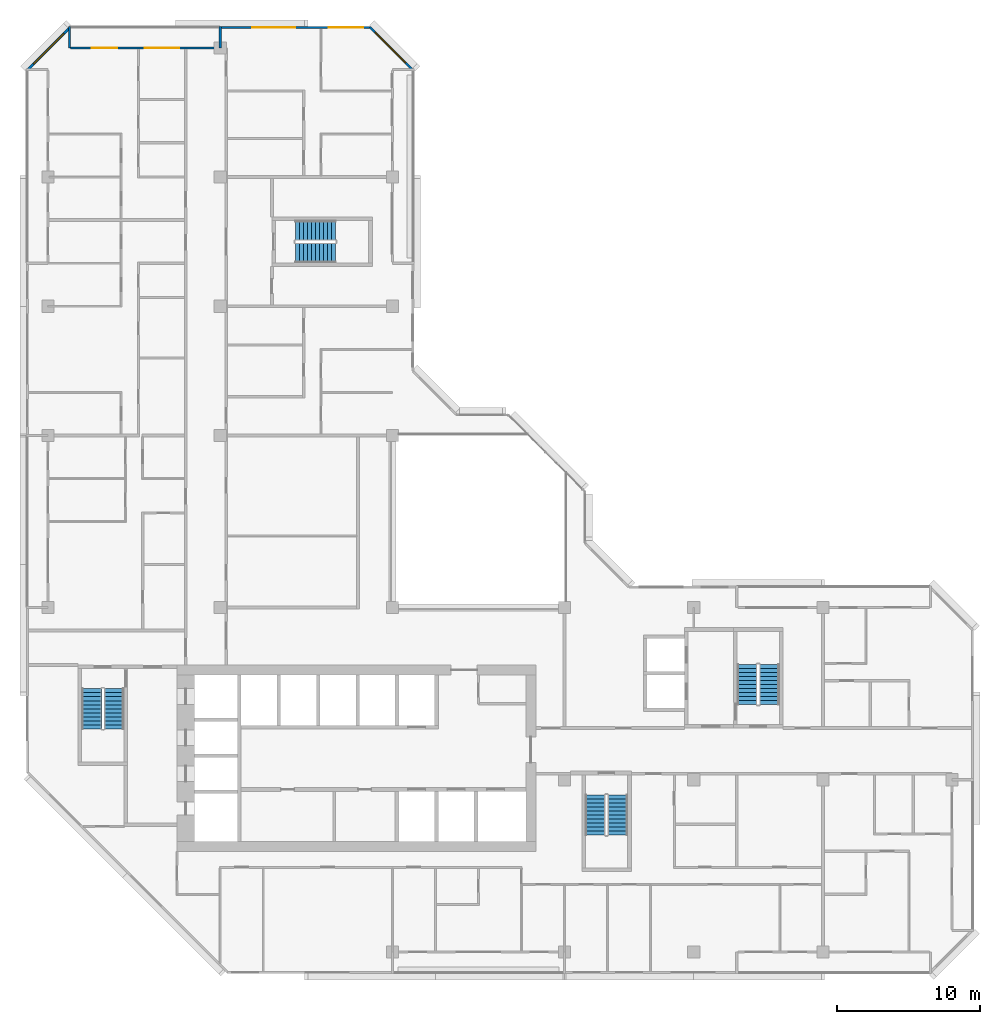
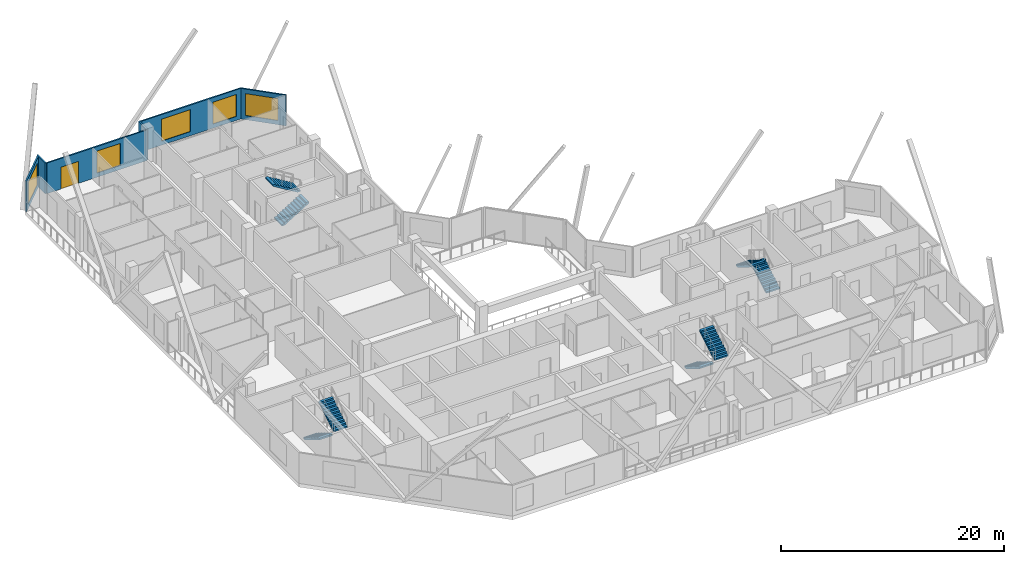
# One storey, part 12 of 14: 8 stair flights, 6 walls, 5 windows, 1 door, 6 openings, 4 elements without a shape of their own.
"""IFC4 building model written with IfcOpenShell, lengths in metres."""

from ifc_helpers import new_model, si_unit, direction, frame, frame_2d, origin, place, context, subcontext, project, spatial, polyline, rectangle, outline, extrude, material, layer, layer_set, type_object, element, fill, aggregate, save


model = new_model("IFC4")

# Units and contexts
model_context = context("Model", 3, precision=1e-05, world=origin(), true_north=direction((0.0, 1.0)))
body_context = subcontext(model_context, "Body", "Model", "MODEL_VIEW")
ifc_project = project(units=[si_unit("LENGTHUNIT", "METRE"), si_unit("AREAUNIT", "SQUARE_METRE"), si_unit("VOLUMEUNIT", "CUBIC_METRE"), si_unit("PLANEANGLEUNIT", "RADIAN"), si_unit("MASSUNIT", "GRAM", prefix="KILO")], contexts=[model_context])

# Site, building, storey
site_placement = place(None, origin())
site = spatial("IfcSite", under=ifc_project, at=site_placement, CompositionType="ELEMENT")
building_placement = place(site_placement, origin())
building = spatial("IfcBuilding", under=site, at=building_placement, Name="Chenar Terraces", CompositionType="ELEMENT")
storey_placement = place(building_placement, frame((0.0, 0.0, 234.14990234375)))
storey = spatial("IfcBuildingStorey", under=building, at=storey_placement, Name="L55", CompositionType="ELEMENT", Elevation=234.14990234375)

# Wall, openings, windows
ifc_material_1 = material(Name="Aluminium framed glazing", Category="aluminium")
ifc_layer_1 = layer(ifc_material_1, 0.14990234375)
ifc_layer_set_1 = layer_set([ifc_layer_1], Name="Aluminium framed glazing")
wall_type_1 = type_object("IfcWallType", Name="Glazed flush facade wall 150", PredefinedType="SOLIDWALL", material=ifc_layer_set_1)
wall_1_placement = place(storey_placement, frame((22.5, 64.425048828125, 0.0), z_axis=(0.0, 0.0, 1.0), x_axis=(-1.0, 0.0, 0.0)))
wall_1 = element("IfcWall", 1, at=wall_1_placement, inside=storey, type_object=wall_type_1, Name="Glazed flush facade wall", PredefinedType="SOLIDWALL", context=body_context, shape_type="SweptSolid", body=[
    extrude(rectangle(XDim=10.425048828125, YDim=0.14990234375, at=frame_2d((5.21240234375, 0.0))), origin(), (0.0, 0.0, 1.0), 3.35009765625),
])
opening_1_placement = place(wall_1_placement, frame((0.53759765625, 0.0, 0.449951171875)))
opening_1 = element("IfcOpeningElement", 2, at=opening_1_placement, cuts=wall_1, Name="Opening W240x240", PredefinedType="OPENING", context=body_context, shape_type="SweptSolid", body=[
    extrude(rectangle(XDim=2.39990234375, YDim=2.39990234375, at=frame_2d((1.199951171875, 1.199951171875))), frame((0.0, 0.0849609375, 0.0), z_axis=(0.0, -1.0, 0.0), x_axis=(1.0, 0.0, 0.0)), (0.0, 0.0, 1.0), 0.169921875),
])
opening_2_placement = place(wall_1_placement, frame((5.27490234375, 0.0, 0.449951171875)))
opening_2 = element("IfcOpeningElement", 3, at=opening_2_placement, cuts=wall_1, Name="Opening W300x240", PredefinedType="OPENING", context=body_context, shape_type="SweptSolid", body=[
    extrude(rectangle(XDim=3.0, YDim=2.39990234375, at=frame_2d((1.5, 1.199951171875))), frame((0.0, 0.0849609375, 0.0), z_axis=(0.0, -1.0, 0.0), x_axis=(1.0, 0.0, 0.0)), (0.0, 0.0, 1.0), 0.169921875),
])
ifc_material_2 = material(Name="Low emissivity double glazing, aluminium frame", Category="aluminium")
window_type_1 = type_object("IfcWindowType", Name="Fixed light 2400 x 2400", PartitioningType="SINGLE_PANEL", PredefinedType="WINDOW", material=ifc_material_2)
window_1_placement = place(opening_1_placement, origin())
window_1 = element("IfcWindow", 4, at=window_1_placement, inside=storey, type_object=window_type_1, Name="Window", OverallHeight=2.39990234375, OverallWidth=2.39990234375, PartitioningType="SINGLE_PANEL", PredefinedType="WINDOW", context=body_context, shape_type="SweptSolid", body=[
    extrude(rectangle(XDim=2.39990234375, YDim=2.39990234375, at=frame_2d((1.199951171875, 1.199951171875))), frame((0.0, 0.030029296875, 0.0), z_axis=(0.0, -1.0, 0.0), x_axis=(1.0, 0.0, 0.0)), (0.0, 0.0, 1.0), 0.06005859375),
])
fill(opening_1, window_1)
ifc_material_3 = material(Name="Low emissivity double glazing, aluminium frame", Category="aluminium")
window_type_2 = type_object("IfcWindowType", Name="Fixed light 3000 x 2400", PartitioningType="SINGLE_PANEL", PredefinedType="WINDOW", material=ifc_material_3)
window_2_placement = place(opening_2_placement, origin())
window_2 = element("IfcWindow", 5, at=window_2_placement, inside=storey, type_object=window_type_2, Name="Window", OverallHeight=2.39990234375, OverallWidth=3.0, PartitioningType="SINGLE_PANEL", PredefinedType="WINDOW", context=body_context, shape_type="SweptSolid", body=[
    extrude(rectangle(XDim=3.0, YDim=2.39990234375, at=frame_2d((1.5, 1.199951171875))), frame((0.0, 0.030029296875, 0.0), z_axis=(0.0, -1.0, 0.0), x_axis=(1.0, 0.0, 0.0)), (0.0, 0.0, 1.0), 0.06005859375),
])
fill(opening_2, window_2)

# Wall, openings, window, door
ifc_material_4 = material(Name="Aluminium framed glazing", Category="aluminium")
ifc_layer_2 = layer(ifc_material_4, 0.14990234375)
ifc_layer_set_2 = layer_set([ifc_layer_2], Name="Aluminium framed glazing")
wall_type_2 = type_object("IfcWallType", Name="Glazed loggia back wall 150", PredefinedType="SOLIDWALL", material=ifc_layer_set_2)
wall_2_placement = place(storey_placement, frame((11.925048828125, 63.0, 0.0), z_axis=(0.0, 0.0, 1.0), x_axis=(-1.0, 0.0, 0.0)))
wall_2 = element("IfcWall", 6, at=wall_2_placement, inside=storey, type_object=wall_type_2, Name="Glazed loggia back wall", PredefinedType="SOLIDWALL", context=body_context, shape_type="SweptSolid", body=[
    extrude(rectangle(XDim=10.35009765625, YDim=0.14990234375, at=frame_2d((5.175048828125, 0.0))), origin(), (0.0, 0.0, 1.0), 3.35009765625),
])
opening_3_placement = place(wall_2_placement, frame((2.77490234375, 0.0, 0.449951171875)))
opening_3 = element("IfcOpeningElement", 7, at=opening_3_placement, cuts=wall_2, Name="Opening W240x240", PredefinedType="OPENING", context=body_context, shape_type="SweptSolid", body=[
    extrude(rectangle(XDim=2.39990234375, YDim=2.39990234375, at=frame_2d((1.199951171875, 1.199951171875))), frame((0.0, 0.0849609375, 0.0), z_axis=(0.0, -1.0, 0.0), x_axis=(1.0, 0.0, 0.0)), (0.0, 0.0, 1.0), 0.169921875),
])
opening_4_placement = place(wall_2_placement, frame((7.08740234375, 0.0, 0.0)))
opening_4 = element("IfcOpeningElement", 8, at=opening_4_placement, cuts=wall_2, Name="Opening DL55-G3", PredefinedType="OPENING", context=body_context, shape_type="SweptSolid", body=[
    extrude(rectangle(XDim=1.800048828125, YDim=2.39990234375, at=frame_2d((0.89990234375, 1.199951171875))), frame((0.0, 0.0849609375, 0.0), z_axis=(0.0, -1.0, 0.0), x_axis=(1.0, 0.0, 0.0)), (0.0, 0.0, 1.0), 0.169921875),
])
window_3_placement = place(opening_3_placement, origin())
window_3 = element("IfcWindow", 9, at=window_3_placement, inside=storey, type_object=window_type_1, Name="Window", OverallHeight=2.39990234375, OverallWidth=2.39990234375, PartitioningType="SINGLE_PANEL", PredefinedType="WINDOW", context=body_context, shape_type="SweptSolid", body=[
    extrude(rectangle(XDim=2.39990234375, YDim=2.39990234375, at=frame_2d((1.199951171875, 1.199951171875))), frame((0.0, 0.030029296875, 0.0), z_axis=(0.0, -1.0, 0.0), x_axis=(1.0, 0.0, 0.0)), (0.0, 0.0, 1.0), 0.06005859375),
])
fill(opening_3, window_3)
ifc_material_5 = material(Name="Low emissivity double glazing, aluminium frame", Category="aluminium")
door_type = type_object("IfcDoorType", Name="Loggia glazed double door 1800 x 2400", OperationType="DOUBLE_DOOR_SINGLE_SWING", PredefinedType="DOOR", material=ifc_material_5)
door_placement = place(opening_4_placement, frame((1.800048828125, 0.0, 0.0), z_axis=(0.0, 0.0, 1.0), x_axis=(-1.0, 0.0, 0.0)))
door = element("IfcDoor", 10, at=door_placement, inside=storey, type_object=door_type, Name="Loggia glazed door", OperationType="DOUBLE_DOOR_SINGLE_SWING", OverallHeight=2.39990234375, OverallWidth=1.800048828125, PredefinedType="DOOR", context=body_context, shape_type="SweptSolid", body=[
    extrude(rectangle(XDim=1.800048828125, YDim=2.39990234375, at=frame_2d((0.89990234375, 1.199951171875))), frame((0.0, 0.02490234375, 0.0), z_axis=(0.0, -1.0, 0.0), x_axis=(1.0, 0.0, 0.0)), (0.0, 0.0, 1.0), 0.050048828125),
])
fill(opening_4, door)

# Walls
ifc_material_6 = material(Name="Terracotta cladding on insulated backing", Category="masonry")
ifc_layer_3 = layer(ifc_material_6, 0.14990234375)
ifc_layer_set_3 = layer_set([ifc_layer_3], Name="Terracotta cladding on insulated backing")
wall_type_3 = type_object("IfcWallType", Name="Loggia return wall 150", PredefinedType="SOLIDWALL", material=ifc_layer_set_3)
for number, where, z_axis, x_axis, name in (
    (11, (12.0, 64.5, 0.0), (0.0, 0.0, 1.0), (0.0, -1.0, 0.0), "Loggia return wall"),
    (12, (1.5, 64.5, 0.0), (0.0, 0.0, 1.0), (0.0, -1.0, 0.0), "Loggia return wall"),
):
    element("IfcWall", number, at=place(storey_placement, frame(where, z_axis=z_axis, x_axis=x_axis)), inside=storey, type_object=wall_type_3, Name=name, PredefinedType="SOLIDWALL", context=body_context, shape_type="SweptSolid", body=[
        extrude(rectangle(XDim=1.5, YDim=0.14990234375, at=frame_2d((0.75, 0.0))), origin(), (0.0, 0.0, 1.0), 3.35009765625),
    ])

# Wall, opening, window
ifc_material_7 = material(Name="Terracotta cladding on insulated backing", Category="masonry")
ifc_layer_4 = layer(ifc_material_7, 0.14990234375)
ifc_layer_set_4 = layer_set([ifc_layer_4], Name="Terracotta cladding on insulated backing")
wall_type_4 = type_object("IfcWallType", Name="Terracotta rainscreen wall 150", PredefinedType="SOLIDWALL", material=ifc_layer_set_4)
wall_3_placement = place(storey_placement, frame((25.447021484375, 61.447021484375, 0.0), z_axis=(0.0, 0.0, 1.0), x_axis=(-0.707106781187, 0.707106781187, 0.0)))
wall_3 = element("IfcWall", 13, at=wall_3_placement, inside=storey, type_object=wall_type_4, Name="Terracotta rainscreen wall", PredefinedType="SOLIDWALL", context=body_context, shape_type="SweptSolid", body=[
    extrude(rectangle(XDim=4.24267578125, YDim=0.14990234375, at=frame_2d((2.121337890625, 0.0))), origin(), (0.0, 0.0, 1.0), 3.35009765625),
])
opening_5_placement = place(wall_3_placement, frame((0.744384765625, 0.0, 0.449951171875)))
opening_5 = element("IfcOpeningElement", 14, at=opening_5_placement, cuts=wall_3, Name="Opening W300x240", PredefinedType="OPENING", context=body_context, shape_type="SweptSolid", body=[
    extrude(rectangle(XDim=3.0, YDim=2.39990234375, at=frame_2d((1.5, 1.199951171875))), frame((0.0, 0.0849609375, 0.0), z_axis=(0.0, -1.0, 0.0), x_axis=(1.0, 0.0, 0.0)), (0.0, 0.0, 1.0), 0.169921875),
])
window_4_placement = place(opening_5_placement, origin())
window_4 = element("IfcWindow", 15, at=window_4_placement, inside=storey, type_object=window_type_2, Name="Window", OverallHeight=2.39990234375, OverallWidth=3.0, PartitioningType="SINGLE_PANEL", PredefinedType="WINDOW", context=body_context, shape_type="SweptSolid", body=[
    extrude(rectangle(XDim=3.0, YDim=2.39990234375, at=frame_2d((1.5, 1.199951171875))), frame((0.0, 0.030029296875, 0.0), z_axis=(0.0, -1.0, 0.0), x_axis=(1.0, 0.0, 0.0)), (0.0, 0.0, 1.0), 0.06005859375),
])
fill(opening_5, window_4)

wall_4_placement = place(storey_placement, frame((1.552978515625, 64.447021484375, 0.0), z_axis=(0.0, 0.0, 1.0), x_axis=(-0.707106781187, -0.707106781187, 0.0)))
wall_4 = element("IfcWall", 16, at=wall_4_placement, inside=storey, type_object=wall_type_4, Name="Terracotta rainscreen wall", PredefinedType="SOLIDWALL", context=body_context, shape_type="SweptSolid", body=[
    extrude(rectangle(XDim=4.24267578125, YDim=0.14990234375, at=frame_2d((2.121337890625, 0.0))), origin(), (0.0, 0.0, 1.0), 3.35009765625),
])
opening_6_placement = place(wall_4_placement, frame((0.621337890625, 0.0, 0.449951171875)))
opening_6 = element("IfcOpeningElement", 17, at=opening_6_placement, cuts=wall_4, Name="Opening W300x240", PredefinedType="OPENING", context=body_context, shape_type="SweptSolid", body=[
    extrude(rectangle(XDim=3.0, YDim=2.39990234375, at=frame_2d((1.5, 1.199951171875))), frame((0.0, 0.0849609375, 0.0), z_axis=(0.0, -1.0, 0.0), x_axis=(1.0, 0.0, 0.0)), (0.0, 0.0, 1.0), 0.169921875),
])
window_5_placement = place(opening_6_placement, origin())
window_5 = element("IfcWindow", 18, at=window_5_placement, inside=storey, type_object=window_type_2, Name="Window", OverallHeight=2.39990234375, OverallWidth=3.0, PartitioningType="SINGLE_PANEL", PredefinedType="WINDOW", context=body_context, shape_type="SweptSolid", body=[
    extrude(rectangle(XDim=3.0, YDim=2.39990234375, at=frame_2d((1.5, 1.199951171875))), frame((0.0, 0.030029296875, 0.0), z_axis=(0.0, -1.0, 0.0), x_axis=(1.0, 0.0, 0.0)), (0.0, 0.0, 1.0), 0.06005859375),
])
fill(opening_6, window_5)

# Stair, stair flights
ifc_material_8 = material(Name="Reinforced concrete C40/50", Category="concrete")
stair_type = type_object("IfcStairType", Name="Core stair 1400 half-turn", PredefinedType="HALF_TURN_STAIR", material=ifc_material_8)
placement = place(storey_placement, origin())
stair_1 = element("IfcStair", 19, at=placement, inside=storey, type_object=stair_type, Name="L55 Stair 1", PredefinedType="HALF_TURN_STAIR")
ifc_material_9 = material(Name="Reinforced concrete C40/50", Category="concrete")
stair_flight_type = type_object("IfcStairFlightType", Name="Core stair flight 1400", PredefinedType="STRAIGHT", material=ifc_material_9)
stair_flight_1_placement = place(storey_placement, frame((3.050048828125, 18.35009765625, 0.0), z_axis=(0.0, 0.0, 1.0), x_axis=(0.0, -1.0, 0.0)))
stair_flight_1 = element("IfcStairFlight", 20, at=stair_flight_1_placement, type_object=stair_flight_type, Name="ST1 flight 1", NumberOfRisers=11, NumberOfTreads=10, PredefinedType="STRAIGHT", RiserHeight=0.170454545, TreadLength=0.28, context=body_context, shape_type="SweptSolid", body=[
    extrude(outline(polyline([(-0.0029296875, 0.0), (-0.0029296875, 0.17041015625), (0.0, 0.17041015625), (0.280029296875, 0.17041015625), (0.280029296875, 0.3408203125), (0.56005859375, 0.3408203125), (0.56005859375, 0.511474609375), (0.840087890625, 0.511474609375), (0.840087890625, 0.681884765625), (1.1201171875, 0.681884765625), (1.1201171875, 0.852294921875), (1.39990234375, 0.852294921875), (1.39990234375, 1.022705078125), (1.679931640625, 1.022705078125), (1.679931640625, 1.193115234375), (1.9599609375, 1.193115234375), (1.9599609375, 1.363525390625), (2.239990234375, 1.363525390625), (2.239990234375, 1.5341796875), (2.52001953125, 1.5341796875), (2.52001953125, 1.70458984375), (2.800048828125, 1.70458984375), (2.802978515625, 1.70458984375), (2.802978515625, 1.529052734375), (2.800048828125, 1.529052734375), (0.288330078125, 0.0), (-0.0029296875, 0.0)])), frame((0.0, 0.699951171875, 0.0), z_axis=(0.0, -1.0, 0.0), x_axis=(1.0, 0.0, 0.0)), (0.0, 0.0, 1.0), 1.39990234375),
])
stair_flight_2_placement = place(storey_placement, frame((4.60009765625, 15.550048828125, 1.875), z_axis=(0.0, 0.0, 1.0), x_axis=(0.0, 1.0, 0.0)))
stair_flight_2 = element("IfcStairFlight", 21, at=stair_flight_2_placement, type_object=stair_flight_type, Name="ST1 flight 2", NumberOfRisers=11, NumberOfTreads=10, PredefinedType="STRAIGHT", RiserHeight=0.170454545, TreadLength=0.28, context=body_context, shape_type="SweptSolid", body=[
    extrude(outline(polyline([(-0.0029296875, 0.0), (-0.0029296875, 0.17041015625), (0.0, 0.17041015625), (0.280029296875, 0.17041015625), (0.280029296875, 0.3408203125), (0.56005859375, 0.3408203125), (0.56005859375, 0.511474609375), (0.840087890625, 0.511474609375), (0.840087890625, 0.681884765625), (1.1201171875, 0.681884765625), (1.1201171875, 0.852294921875), (1.39990234375, 0.852294921875), (1.39990234375, 1.022705078125), (1.679931640625, 1.022705078125), (1.679931640625, 1.193115234375), (1.9599609375, 1.193115234375), (1.9599609375, 1.363525390625), (2.239990234375, 1.363525390625), (2.239990234375, 1.5341796875), (2.52001953125, 1.5341796875), (2.52001953125, 1.70458984375), (2.800048828125, 1.70458984375), (2.802978515625, 1.70458984375), (2.802978515625, 1.529052734375), (2.800048828125, 1.529052734375), (0.288330078125, 0.0), (-0.0029296875, 0.0)])), frame((0.0, 0.699951171875, 0.0), z_axis=(0.0, -1.0, 0.0), x_axis=(1.0, 0.0, 0.0)), (0.0, 0.0, 1.0), 1.39990234375),
])
aggregate(stair_1, [stair_flight_1, stair_flight_2])

stair_2 = element("IfcStair", 22, at=placement, inside=storey, type_object=stair_type, Name="L55 Stair 2", PredefinedType="HALF_TURN_STAIR")
stair_flight_3_placement = place(storey_placement, frame((38.14990234375, 10.949951171875, 0.0), z_axis=(0.0, 0.0, 1.0), x_axis=(0.0, -1.0, 0.0)))
stair_flight_3 = element("IfcStairFlight", 23, at=stair_flight_3_placement, type_object=stair_flight_type, Name="ST2 flight 1", NumberOfRisers=11, NumberOfTreads=10, PredefinedType="STRAIGHT", RiserHeight=0.170454545, TreadLength=0.28, context=body_context, shape_type="SweptSolid", body=[
    extrude(outline(polyline([(-0.0029296875, 0.0), (-0.0029296875, 0.17041015625), (0.0, 0.17041015625), (0.280029296875, 0.17041015625), (0.280029296875, 0.3408203125), (0.56005859375, 0.3408203125), (0.56005859375, 0.511474609375), (0.840087890625, 0.511474609375), (0.840087890625, 0.681884765625), (1.1201171875, 0.681884765625), (1.1201171875, 0.852294921875), (1.39990234375, 0.852294921875), (1.39990234375, 1.022705078125), (1.679931640625, 1.022705078125), (1.679931640625, 1.193115234375), (1.9599609375, 1.193115234375), (1.9599609375, 1.363525390625), (2.239990234375, 1.363525390625), (2.239990234375, 1.5341796875), (2.52001953125, 1.5341796875), (2.52001953125, 1.70458984375), (2.800048828125, 1.70458984375), (2.802978515625, 1.70458984375), (2.802978515625, 1.529052734375), (2.800048828125, 1.529052734375), (0.288330078125, 0.0), (-0.0029296875, 0.0)])), frame((0.0, 0.699951171875, 0.0), z_axis=(0.0, -1.0, 0.0), x_axis=(1.0, 0.0, 0.0)), (0.0, 0.0, 1.0), 1.39990234375),
])
stair_flight_4_placement = place(storey_placement, frame((39.699951171875, 8.14990234375, 1.875), z_axis=(0.0, 0.0, 1.0), x_axis=(0.0, 1.0, 0.0)))
stair_flight_4 = element("IfcStairFlight", 24, at=stair_flight_4_placement, type_object=stair_flight_type, Name="ST2 flight 2", NumberOfRisers=11, NumberOfTreads=10, PredefinedType="STRAIGHT", RiserHeight=0.170454545, TreadLength=0.28, context=body_context, shape_type="SweptSolid", body=[
    extrude(outline(polyline([(-0.0029296875, 0.0), (-0.0029296875, 0.17041015625), (0.0, 0.17041015625), (0.280029296875, 0.17041015625), (0.280029296875, 0.3408203125), (0.56005859375, 0.3408203125), (0.56005859375, 0.511474609375), (0.840087890625, 0.511474609375), (0.840087890625, 0.681884765625), (1.1201171875, 0.681884765625), (1.1201171875, 0.852294921875), (1.39990234375, 0.852294921875), (1.39990234375, 1.022705078125), (1.679931640625, 1.022705078125), (1.679931640625, 1.193115234375), (1.9599609375, 1.193115234375), (1.9599609375, 1.363525390625), (2.239990234375, 1.363525390625), (2.239990234375, 1.5341796875), (2.52001953125, 1.5341796875), (2.52001953125, 1.70458984375), (2.800048828125, 1.70458984375), (2.802978515625, 1.70458984375), (2.802978515625, 1.529052734375), (2.800048828125, 1.529052734375), (0.288330078125, 0.0), (-0.0029296875, 0.0)])), frame((0.0, 0.699951171875, 0.0), z_axis=(0.0, -1.0, 0.0), x_axis=(1.0, 0.0, 0.0)), (0.0, 0.0, 1.0), 1.39990234375),
])
aggregate(stair_2, [stair_flight_3, stair_flight_4])

stair_3 = element("IfcStair", 25, at=placement, inside=storey, type_object=stair_type, Name="L55 Stair 3", PredefinedType="HALF_TURN_STAIR")
stair_flight_5_placement = place(storey_placement, frame((50.27490234375, 17.25, 0.0), z_axis=(0.0, 0.0, 1.0), x_axis=(0.0, 1.0, 0.0)))
stair_flight_5 = element("IfcStairFlight", 26, at=stair_flight_5_placement, type_object=stair_flight_type, Name="ST3 flight 1", NumberOfRisers=11, NumberOfTreads=10, PredefinedType="STRAIGHT", RiserHeight=0.170454545, TreadLength=0.28, context=body_context, shape_type="SweptSolid", body=[
    extrude(outline(polyline([(-0.0029296875, 0.0), (-0.0029296875, 0.17041015625), (0.0, 0.17041015625), (0.280029296875, 0.17041015625), (0.280029296875, 0.3408203125), (0.56005859375, 0.3408203125), (0.56005859375, 0.511474609375), (0.840087890625, 0.511474609375), (0.840087890625, 0.681884765625), (1.1201171875, 0.681884765625), (1.1201171875, 0.852294921875), (1.39990234375, 0.852294921875), (1.39990234375, 1.022705078125), (1.679931640625, 1.022705078125), (1.679931640625, 1.193115234375), (1.9599609375, 1.193115234375), (1.9599609375, 1.363525390625), (2.239990234375, 1.363525390625), (2.239990234375, 1.5341796875), (2.52001953125, 1.5341796875), (2.52001953125, 1.70458984375), (2.800048828125, 1.70458984375), (2.802978515625, 1.70458984375), (2.802978515625, 1.529052734375), (2.800048828125, 1.529052734375), (0.288330078125, 0.0), (-0.0029296875, 0.0)])), frame((0.0, 0.699951171875, 0.0), z_axis=(0.0, -1.0, 0.0), x_axis=(1.0, 0.0, 0.0)), (0.0, 0.0, 1.0), 1.39990234375),
])
stair_flight_6_placement = place(storey_placement, frame((48.72509765625, 20.050048828125, 1.875), z_axis=(0.0, 0.0, 1.0), x_axis=(0.0, -1.0, 0.0)))
stair_flight_6 = element("IfcStairFlight", 27, at=stair_flight_6_placement, type_object=stair_flight_type, Name="ST3 flight 2", NumberOfRisers=11, NumberOfTreads=10, PredefinedType="STRAIGHT", RiserHeight=0.170454545, TreadLength=0.28, context=body_context, shape_type="SweptSolid", body=[
    extrude(outline(polyline([(-0.0029296875, 0.0), (-0.0029296875, 0.17041015625), (0.0, 0.17041015625), (0.280029296875, 0.17041015625), (0.280029296875, 0.3408203125), (0.56005859375, 0.3408203125), (0.56005859375, 0.511474609375), (0.840087890625, 0.511474609375), (0.840087890625, 0.681884765625), (1.1201171875, 0.681884765625), (1.1201171875, 0.852294921875), (1.39990234375, 0.852294921875), (1.39990234375, 1.022705078125), (1.679931640625, 1.022705078125), (1.679931640625, 1.193115234375), (1.9599609375, 1.193115234375), (1.9599609375, 1.363525390625), (2.239990234375, 1.363525390625), (2.239990234375, 1.5341796875), (2.52001953125, 1.5341796875), (2.52001953125, 1.70458984375), (2.800048828125, 1.70458984375), (2.802978515625, 1.70458984375), (2.802978515625, 1.529052734375), (2.800048828125, 1.529052734375), (0.288330078125, 0.0), (-0.0029296875, 0.0)])), frame((0.0, 0.699951171875, 0.0), z_axis=(0.0, -1.0, 0.0), x_axis=(1.0, 0.0, 0.0)), (0.0, 0.0, 1.0), 1.39990234375),
])
aggregate(stair_3, [stair_flight_5, stair_flight_6])

stair_4 = element("IfcStair", 28, at=placement, inside=storey, type_object=stair_type, Name="L55 Stair 4", PredefinedType="HALF_TURN_STAIR")
stair_flight_7_placement = place(storey_placement, frame((17.25, 48.72509765625, 0.0), z_axis=(0.0, 0.0, 1.0), x_axis=(1.0, 0.0, 0.0)))
stair_flight_7 = element("IfcStairFlight", 29, at=stair_flight_7_placement, type_object=stair_flight_type, Name="ST4 flight 1", NumberOfRisers=11, NumberOfTreads=10, PredefinedType="STRAIGHT", RiserHeight=0.170454545, TreadLength=0.28, context=body_context, shape_type="SweptSolid", body=[
    extrude(outline(polyline([(-0.0029296875, 0.0), (-0.0029296875, 0.17041015625), (0.0, 0.17041015625), (0.280029296875, 0.17041015625), (0.280029296875, 0.3408203125), (0.56005859375, 0.3408203125), (0.56005859375, 0.511474609375), (0.840087890625, 0.511474609375), (0.840087890625, 0.681884765625), (1.1201171875, 0.681884765625), (1.1201171875, 0.852294921875), (1.39990234375, 0.852294921875), (1.39990234375, 1.022705078125), (1.679931640625, 1.022705078125), (1.679931640625, 1.193115234375), (1.9599609375, 1.193115234375), (1.9599609375, 1.363525390625), (2.239990234375, 1.363525390625), (2.239990234375, 1.5341796875), (2.52001953125, 1.5341796875), (2.52001953125, 1.70458984375), (2.800048828125, 1.70458984375), (2.802978515625, 1.70458984375), (2.802978515625, 1.529052734375), (2.800048828125, 1.529052734375), (0.288330078125, 0.0), (-0.0029296875, 0.0)])), frame((0.0, 0.699951171875, 0.0), z_axis=(0.0, -1.0, 0.0), x_axis=(1.0, 0.0, 0.0)), (0.0, 0.0, 1.0), 1.39990234375),
])
stair_flight_8_placement = place(storey_placement, frame((20.050048828125, 50.27490234375, 1.875), z_axis=(0.0, 0.0, 1.0), x_axis=(-1.0, 0.0, 0.0)))
stair_flight_8 = element("IfcStairFlight", 30, at=stair_flight_8_placement, type_object=stair_flight_type, Name="ST4 flight 2", NumberOfRisers=11, NumberOfTreads=10, PredefinedType="STRAIGHT", RiserHeight=0.170454545, TreadLength=0.28, context=body_context, shape_type="SweptSolid", body=[
    extrude(outline(polyline([(-0.0029296875, 0.0), (-0.0029296875, 0.17041015625), (0.0, 0.17041015625), (0.280029296875, 0.17041015625), (0.280029296875, 0.3408203125), (0.56005859375, 0.3408203125), (0.56005859375, 0.511474609375), (0.840087890625, 0.511474609375), (0.840087890625, 0.681884765625), (1.1201171875, 0.681884765625), (1.1201171875, 0.852294921875), (1.39990234375, 0.852294921875), (1.39990234375, 1.022705078125), (1.679931640625, 1.022705078125), (1.679931640625, 1.193115234375), (1.9599609375, 1.193115234375), (1.9599609375, 1.363525390625), (2.239990234375, 1.363525390625), (2.239990234375, 1.5341796875), (2.52001953125, 1.5341796875), (2.52001953125, 1.70458984375), (2.800048828125, 1.70458984375), (2.802978515625, 1.70458984375), (2.802978515625, 1.529052734375), (2.800048828125, 1.529052734375), (0.288330078125, 0.0), (-0.0029296875, 0.0)])), frame((0.0, 0.699951171875, 0.0), z_axis=(0.0, -1.0, 0.0), x_axis=(1.0, 0.0, 0.0)), (0.0, 0.0, 1.0), 1.39990234375),
])
aggregate(stair_4, [stair_flight_7, stair_flight_8])

save(model, "model.ifc")
